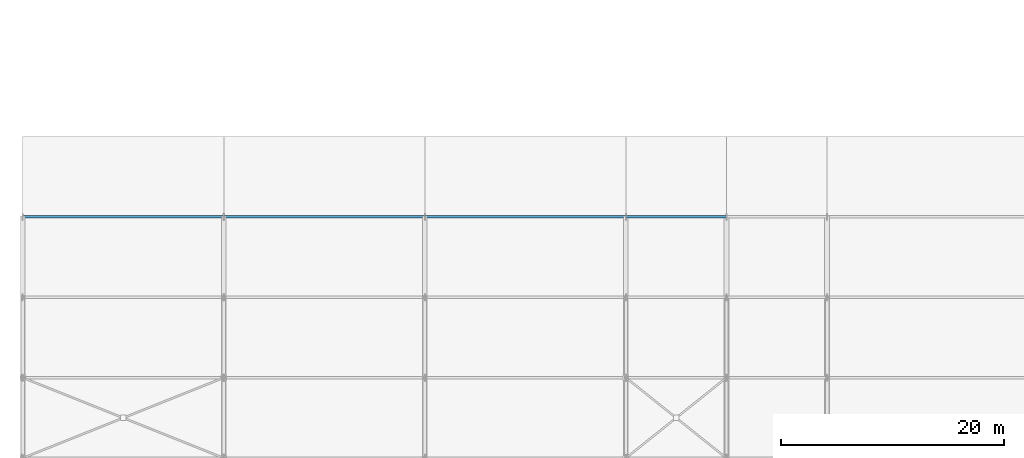
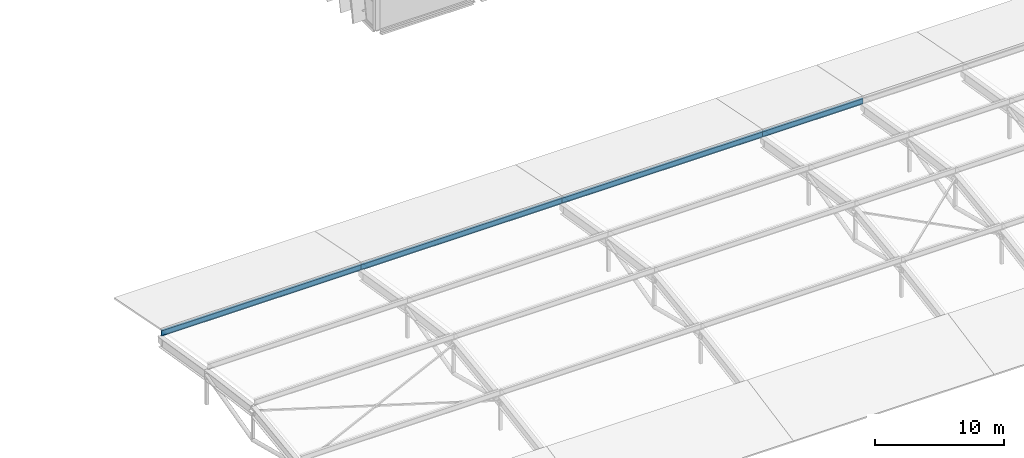
# One storey, part 13 of 78: 4 members.
"""IFC4 building model written with IfcOpenShell, lengths in metres."""

from ifc_helpers import new_model, si_unit, direction, frame, origin, origin_2d, place, context, subcontext, project, spatial, i_section, extrude, material, material_profile, profile_set, type_object, element, save


model = new_model("IFC4")

# Units and contexts
model_context = context("Model", 3, precision=1e-05, world=origin(), true_north=direction((0.0, 1.0)))
body_context = subcontext(model_context, "Body", "Model", "MODEL_VIEW")
ifc_project = project(units=[si_unit("LENGTHUNIT", "METRE"), si_unit("AREAUNIT", "SQUARE_METRE"), si_unit("VOLUMEUNIT", "CUBIC_METRE"), si_unit("PLANEANGLEUNIT", "RADIAN"), si_unit("MASSUNIT", "GRAM", prefix="KILO")], contexts=[model_context])

# Site, building, storey
site_placement = place(None, origin())
site = spatial("IfcSite", under=ifc_project, at=site_placement, CompositionType="ELEMENT")
building_placement = place(site_placement, origin())
building = spatial("IfcBuilding", under=site, at=building_placement, Name="Celestram Park Convention Centre", CompositionType="ELEMENT")
storey_placement = place(building_placement, frame((0.0, 0.0, 19.800048828125)))
storey = spatial("IfcBuildingStorey", under=building, at=storey_placement, Name="L04", CompositionType="ELEMENT", Elevation=19.800048828125)

# Members
ifc_material = material(Name="Steel ASTM A992 Grade 50", Category="steel")
ifc_material_profile = material_profile(ifc_material, i_section(OverallWidth=0.2099609375, OverallDepth=0.532958984375, WebThickness=0.01025390625, FlangeThickness=0.015625, at=origin_2d()), Name="W21X62")
ifc_profile_set = profile_set([ifc_material_profile], Name="Steel ASTM A992 Grade 50")
member_type = type_object("IfcMemberType", Name="STR-RFT-W21X62", PredefinedType="RAFTER", material=ifc_profile_set)
member_1_placement = place(storey_placement, frame((0.080078125, 79.199951171875, 1.211669921875), z_axis=(1.0, 0.0, 0.0), x_axis=(0.0, 1.0, 0.0)))
element("IfcMember", 1, at=member_1_placement, inside=storey, type_object=member_type, Name="V1 roof purlin", PredefinedType="RAFTER", context=body_context, shape_type="SweptSolid", body=[
    extrude(i_section(OverallWidth=0.2099609375, OverallDepth=0.532958984375, WebThickness=0.01025390625, FlangeThickness=0.015625, at=origin_2d()), origin(), (0.0, 0.0, 1.0), 17.919921875),
])
for number, where, z_axis, x_axis, name in (
    (2, (18.0, 79.199951171875, 1.211669921875), (1.0, 0.0, 0.0), (0.0, 1.0, 0.0), "V1 roof purlin"),
    (3, (36.0, 79.199951171875, 1.211669921875), (1.0, 0.0, 0.0), (0.0, 1.0, 0.0), "V1 roof purlin"),
):
    element("IfcMember", number, at=place(storey_placement, frame(where, z_axis=z_axis, x_axis=x_axis)), inside=storey, type_object=member_type, Name=name, PredefinedType="RAFTER", context=body_context, shape_type="SweptSolid", body=[
        extrude(i_section(OverallWidth=0.2099609375, OverallDepth=0.532958984375, WebThickness=0.01025390625, FlangeThickness=0.015625, at=origin_2d()), origin(), (0.0, 0.0, 1.0), 18.0),
    ])
member_2_placement = place(storey_placement, frame((54.0, 79.199951171875, 1.211669921875), z_axis=(1.0, 0.0, 0.0), x_axis=(0.0, 1.0, 0.0)))
element("IfcMember", 4, at=member_2_placement, inside=storey, type_object=member_type, Name="V1 roof purlin", PredefinedType="RAFTER", context=body_context, shape_type="SweptSolid", body=[
    extrude(i_section(OverallWidth=0.2099609375, OverallDepth=0.532958984375, WebThickness=0.01025390625, FlangeThickness=0.015625, at=origin_2d()), origin(), (0.0, 0.0, 1.0), 9.0),
])

save(model, "model.ifc")
